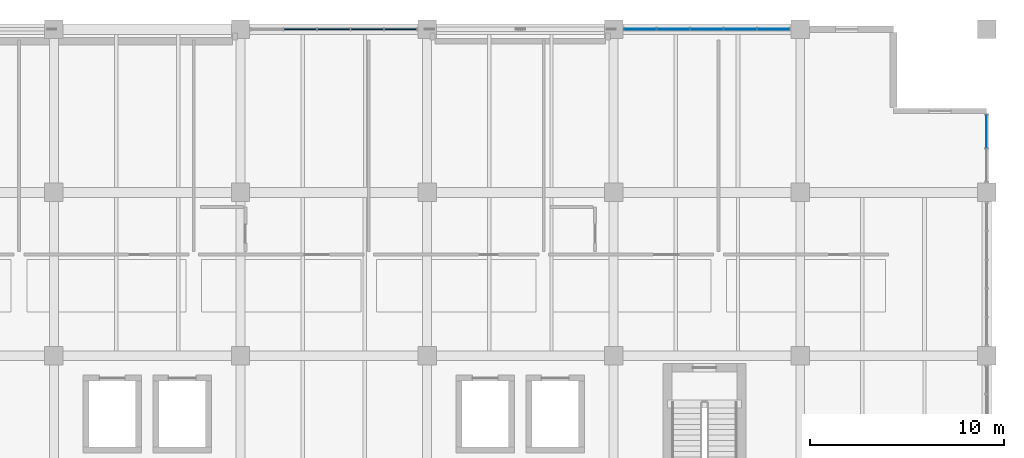
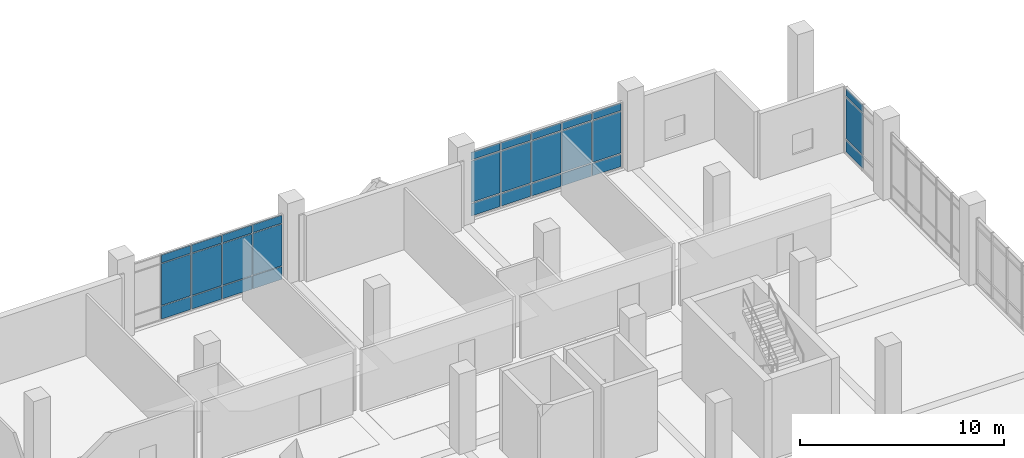
# One storey, part 110 of 152: 30 plates, 3 elements without a shape of their own.
"""IFC4 building model written with IfcOpenShell, lengths in metres."""

from ifc_helpers import new_model, si_unit, direction, frame, origin, origin_2d, place, context, subcontext, project, spatial, rectangle, extrude, material, layer, layer_set, type_object, element, aggregate, save


model = new_model("IFC4")

# Units and contexts
model_context = context("Model", 3, precision=1e-05, world=origin(), true_north=direction((0.0, 1.0)))
body_context = subcontext(model_context, "Body", "Model", "MODEL_VIEW")
ifc_project = project(units=[si_unit("LENGTHUNIT", "METRE"), si_unit("AREAUNIT", "SQUARE_METRE"), si_unit("VOLUMEUNIT", "CUBIC_METRE"), si_unit("PLANEANGLEUNIT", "RADIAN"), si_unit("MASSUNIT", "GRAM", prefix="KILO")], contexts=[model_context])

# Site, building, storey
site_placement = place(None, origin())
site = spatial("IfcSite", under=ifc_project, at=site_placement, CompositionType="ELEMENT")
building_placement = place(site_placement, origin())
building = spatial("IfcBuilding", under=site, at=building_placement, Name="Oolite Switchyard Hospital", CompositionType="ELEMENT")
storey_placement = place(building_placement, frame((0.0, 0.0, 5.10009765625)))
storey = spatial("IfcBuildingStorey", under=building, at=storey_placement, Name="L01", CompositionType="ELEMENT", Elevation=5.10009765625)

# Curtain wall, plates
ifc_material_1 = material(Name="Thermally broken aluminum frame with laminated impact glazing", Category="aluminium")
curtain_wall_type_1 = type_object("IfcCurtainWallType", Name="CW-UNIT-96X48", PredefinedType="USERDEFINED", material=ifc_material_1)
curtain_wall_1_placement = place(storey_placement, origin())
curtain_wall_1 = element("IfcCurtainWall", 1, at=curtain_wall_1_placement, inside=storey, type_object=curtain_wall_type_1, Name="L01 Unitised Curtain Wall 158", ObjectType="UNITISED", PredefinedType="USERDEFINED")
ifc_material_2 = material(Name="Insulated fluoropolymer-coated aluminum spandrel panel", Category="aluminium")
ifc_layer_1 = layer(ifc_material_2, 0.070068359375)
ifc_layer_set_1 = layer_set([ifc_layer_1], Name="CW-PNL-SPN70")
plate_type_1 = type_object("IfcPlateType", Name="CW-PNL-SPN70", PredefinedType="CURTAIN_PANEL", material=ifc_layer_set_1)
plate_1_placement = place(storey_placement, frame((175.8759765625, 134.39990234375, 0.06005859375), z_axis=(0.0, 0.0, 1.0), x_axis=(1.0, 0.0, 0.0)))
plate_1 = element("IfcPlate", 2, at=plate_1_placement, type_object=plate_type_1, Name="CW-02 panel 2.1", PredefinedType="CURTAIN_PANEL", context=body_context, shape_type="SweptSolid", body=[
    extrude(rectangle(XDim=1.6640625, YDim=0.070068359375, at=origin_2d()), origin(), (0.0, 0.0, 1.0), 0.760009765625),
])
plate_2_placement = place(storey_placement, frame((175.8759765625, 134.39990234375, 0.8798828125), z_axis=(0.0, 0.0, 1.0), x_axis=(1.0, 0.0, 0.0)))
plate_2 = element("IfcPlate", 3, at=plate_2_placement, type_object=plate_type_1, Name="CW-02 panel 2.2", PredefinedType="CURTAIN_PANEL", context=body_context, shape_type="SweptSolid", body=[
    extrude(rectangle(XDim=1.6640625, YDim=0.070068359375, at=origin_2d()), origin(), (0.0, 0.0, 1.0), 2.47998046875),
])
plate_3_placement = place(storey_placement, frame((175.8759765625, 134.39990234375, 3.419921875), z_axis=(0.0, 0.0, 1.0), x_axis=(1.0, 0.0, 0.0)))
plate_3 = element("IfcPlate", 4, at=plate_3_placement, type_object=plate_type_1, Name="CW-02 panel 2.3", PredefinedType="CURTAIN_PANEL", context=body_context, shape_type="SweptSolid", body=[
    extrude(rectangle(XDim=1.6640625, YDim=0.070068359375, at=origin_2d()), origin(), (0.0, 0.0, 1.0), 0.4599609375),
])
plate_4_placement = place(storey_placement, frame((177.60009765625, 134.39990234375, 0.06005859375), z_axis=(0.0, 0.0, 1.0), x_axis=(1.0, 0.0, 0.0)))
plate_4 = element("IfcPlate", 5, at=plate_4_placement, type_object=plate_type_1, Name="CW-02 panel 3.1", PredefinedType="CURTAIN_PANEL", context=body_context, shape_type="SweptSolid", body=[
    extrude(rectangle(XDim=1.6640625, YDim=0.070068359375, at=origin_2d()), origin(), (0.0, 0.0, 1.0), 0.760009765625),
])
plate_5_placement = place(storey_placement, frame((177.60009765625, 134.39990234375, 0.8798828125), z_axis=(0.0, 0.0, 1.0), x_axis=(1.0, 0.0, 0.0)))
plate_5 = element("IfcPlate", 6, at=plate_5_placement, type_object=plate_type_1, Name="CW-02 panel 3.2", PredefinedType="CURTAIN_PANEL", context=body_context, shape_type="SweptSolid", body=[
    extrude(rectangle(XDim=1.6640625, YDim=0.070068359375, at=origin_2d()), origin(), (0.0, 0.0, 1.0), 2.47998046875),
])
plate_6_placement = place(storey_placement, frame((177.60009765625, 134.39990234375, 3.419921875), z_axis=(0.0, 0.0, 1.0), x_axis=(1.0, 0.0, 0.0)))
plate_6 = element("IfcPlate", 7, at=plate_6_placement, type_object=plate_type_1, Name="CW-02 panel 3.3", PredefinedType="CURTAIN_PANEL", context=body_context, shape_type="SweptSolid", body=[
    extrude(rectangle(XDim=1.6640625, YDim=0.070068359375, at=origin_2d()), origin(), (0.0, 0.0, 1.0), 0.4599609375),
])
plate_7_placement = place(storey_placement, frame((179.323974609375, 134.39990234375, 0.06005859375), z_axis=(0.0, 0.0, 1.0), x_axis=(1.0, 0.0, 0.0)))
plate_7 = element("IfcPlate", 8, at=plate_7_placement, type_object=plate_type_1, Name="CW-02 panel 4.1", PredefinedType="CURTAIN_PANEL", context=body_context, shape_type="SweptSolid", body=[
    extrude(rectangle(XDim=1.6640625, YDim=0.070068359375, at=origin_2d()), origin(), (0.0, 0.0, 1.0), 0.760009765625),
])
plate_8_placement = place(storey_placement, frame((179.323974609375, 134.39990234375, 0.8798828125), z_axis=(0.0, 0.0, 1.0), x_axis=(1.0, 0.0, 0.0)))
plate_8 = element("IfcPlate", 9, at=plate_8_placement, type_object=plate_type_1, Name="CW-02 panel 4.2", PredefinedType="CURTAIN_PANEL", context=body_context, shape_type="SweptSolid", body=[
    extrude(rectangle(XDim=1.6640625, YDim=0.070068359375, at=origin_2d()), origin(), (0.0, 0.0, 1.0), 2.47998046875),
])
plate_9_placement = place(storey_placement, frame((179.323974609375, 134.39990234375, 3.419921875), z_axis=(0.0, 0.0, 1.0), x_axis=(1.0, 0.0, 0.0)))
plate_9 = element("IfcPlate", 10, at=plate_9_placement, type_object=plate_type_1, Name="CW-02 panel 4.3", PredefinedType="CURTAIN_PANEL", context=body_context, shape_type="SweptSolid", body=[
    extrude(rectangle(XDim=1.6640625, YDim=0.070068359375, at=origin_2d()), origin(), (0.0, 0.0, 1.0), 0.4599609375),
])
plate_10_placement = place(storey_placement, frame((181.032958984375, 134.39990234375, 0.06005859375), z_axis=(0.0, 0.0, 1.0), x_axis=(1.0, 0.0, 0.0)))
plate_10 = element("IfcPlate", 11, at=plate_10_placement, type_object=plate_type_1, Name="CW-02 panel 5.1", PredefinedType="CURTAIN_PANEL", context=body_context, shape_type="SweptSolid", body=[
    extrude(rectangle(XDim=1.634033203125, YDim=0.070068359375, at=origin_2d()), origin(), (0.0, 0.0, 1.0), 0.760009765625),
])
plate_11_placement = place(storey_placement, frame((181.032958984375, 134.39990234375, 0.8798828125), z_axis=(0.0, 0.0, 1.0), x_axis=(1.0, 0.0, 0.0)))
plate_11 = element("IfcPlate", 12, at=plate_11_placement, type_object=plate_type_1, Name="CW-02 panel 5.2", PredefinedType="CURTAIN_PANEL", context=body_context, shape_type="SweptSolid", body=[
    extrude(rectangle(XDim=1.634033203125, YDim=0.070068359375, at=origin_2d()), origin(), (0.0, 0.0, 1.0), 2.47998046875),
])
plate_12_placement = place(storey_placement, frame((181.032958984375, 134.39990234375, 3.419921875), z_axis=(0.0, 0.0, 1.0), x_axis=(1.0, 0.0, 0.0)))
plate_12 = element("IfcPlate", 13, at=plate_12_placement, type_object=plate_type_1, Name="CW-02 panel 5.3", PredefinedType="CURTAIN_PANEL", context=body_context, shape_type="SweptSolid", body=[
    extrude(rectangle(XDim=1.634033203125, YDim=0.070068359375, at=origin_2d()), origin(), (0.0, 0.0, 1.0), 0.4599609375),
])
aggregate(curtain_wall_1, [plate_1, plate_2, plate_3, plate_4, plate_5, plate_6, plate_7, plate_8, plate_9, plate_10, plate_11, plate_12])

curtain_wall_type_2 = type_object("IfcCurtainWallType", Name="CW-UNIT-84X48", PredefinedType="USERDEFINED", material=ifc_material_1)
curtain_wall_2_placement = place(storey_placement, origin())
curtain_wall_2 = element("IfcCurtainWall", 14, at=curtain_wall_2_placement, inside=storey, type_object=curtain_wall_type_2, Name="L01 Unitised Curtain Wall 205", ObjectType="UNITISED", PredefinedType="USERDEFINED")
ifc_material_3 = material(Name="Laminated hurricane-impact insulated glazing unit", Category="glass")
ifc_layer_2 = layer(ifc_material_3, 0.028076171875)
ifc_layer_set_2 = layer_set([ifc_layer_2], Name="CW-PNL-VIS28")
plate_type_2 = type_object("IfcPlateType", Name="CW-PNL-VIS28", PredefinedType="CURTAIN_PANEL", material=ifc_layer_set_2)
plate_13_placement = place(storey_placement, frame((211.199951171875, 129.1337890625, 0.07470703125), z_axis=(0.0, 0.0, 1.0), x_axis=(0.0, -1.0, 0.0)))
plate_13 = element("IfcPlate", 15, at=plate_13_placement, type_object=plate_type_2, Name="CW-07 panel 1.1", PredefinedType="CURTAIN_PANEL", context=body_context, shape_type="SweptSolid", body=[
    extrude(rectangle(XDim=1.66259765625, YDim=0.028076171875, at=origin_2d()), origin(), (0.0, 0.0, 1.0), 0.737548828125),
])
plate_14_placement = place(storey_placement, frame((211.199951171875, 129.1337890625, 0.88720703125), z_axis=(0.0, 0.0, 1.0), x_axis=(0.0, -1.0, 0.0)))
plate_14 = element("IfcPlate", 16, at=plate_14_placement, type_object=plate_type_2, Name="CW-07 panel 1.2", PredefinedType="CURTAIN_PANEL", context=body_context, shape_type="SweptSolid", body=[
    extrude(rectangle(XDim=1.66259765625, YDim=0.028076171875, at=origin_2d()), origin(), (0.0, 0.0, 1.0), 2.465087890625),
])
plate_15_placement = place(storey_placement, frame((211.199951171875, 129.1337890625, 3.427490234375), z_axis=(0.0, 0.0, 1.0), x_axis=(0.0, -1.0, 0.0)))
plate_15 = element("IfcPlate", 17, at=plate_15_placement, type_object=plate_type_2, Name="CW-07 panel 1.3", PredefinedType="CURTAIN_PANEL", context=body_context, shape_type="SweptSolid", body=[
    extrude(rectangle(XDim=1.66259765625, YDim=0.028076171875, at=origin_2d()), origin(), (0.0, 0.0, 1.0), 0.4375),
])
aggregate(curtain_wall_2, [plate_13, plate_14, plate_15])

curtain_wall_3_placement = place(storey_placement, origin())
curtain_wall_3 = element("IfcCurtainWall", 18, at=curtain_wall_3_placement, inside=storey, type_object=curtain_wall_type_1, Name="L01 Unitised Curtain Wall 159", ObjectType="UNITISED", PredefinedType="USERDEFINED")
ifc_layer_3 = layer(ifc_material_3, 0.035888671875)
ifc_layer_set_3 = layer_set([ifc_layer_3], Name="CW-PNL-VIS36")
plate_type_3 = type_object("IfcPlateType", Name="CW-PNL-VIS36", PredefinedType="CURTAIN_PANEL", material=ifc_layer_set_3)
plate_16_placement = place(storey_placement, frame((193.369384765625, 134.39990234375, 0.07470703125), z_axis=(0.0, 0.0, 1.0), x_axis=(1.0, 0.0, 0.0)))
plate_16 = element("IfcPlate", 19, at=plate_16_placement, type_object=plate_type_3, Name="CW-02 panel 1.1", PredefinedType="CURTAIN_PANEL", context=body_context, shape_type="SweptSolid", body=[
    extrude(rectangle(XDim=1.618896484375, YDim=0.035888671875, at=origin_2d()), origin(), (0.0, 0.0, 1.0), 0.737548828125),
])
plate_17_placement = place(storey_placement, frame((193.369384765625, 134.39990234375, 0.88720703125), z_axis=(0.0, 0.0, 1.0), x_axis=(1.0, 0.0, 0.0)))
plate_17 = element("IfcPlate", 20, at=plate_17_placement, type_object=plate_type_3, Name="CW-02 panel 1.2", PredefinedType="CURTAIN_PANEL", context=body_context, shape_type="SweptSolid", body=[
    extrude(rectangle(XDim=1.618896484375, YDim=0.035888671875, at=origin_2d()), origin(), (0.0, 0.0, 1.0), 2.465087890625),
])
plate_18_placement = place(storey_placement, frame((193.369384765625, 134.39990234375, 3.427490234375), z_axis=(0.0, 0.0, 1.0), x_axis=(1.0, 0.0, 0.0)))
plate_18 = element("IfcPlate", 21, at=plate_18_placement, type_object=plate_type_3, Name="CW-02 panel 1.3", PredefinedType="CURTAIN_PANEL", context=body_context, shape_type="SweptSolid", body=[
    extrude(rectangle(XDim=1.618896484375, YDim=0.035888671875, at=origin_2d()), origin(), (0.0, 0.0, 1.0), 0.4375),
])
plate_19_placement = place(storey_placement, frame((195.075927734375, 134.39990234375, 0.07470703125), z_axis=(0.0, 0.0, 1.0), x_axis=(1.0, 0.0, 0.0)))
plate_19 = element("IfcPlate", 22, at=plate_19_placement, type_object=plate_type_3, Name="CW-02 panel 2.1", PredefinedType="CURTAIN_PANEL", context=body_context, shape_type="SweptSolid", body=[
    extrude(rectangle(XDim=1.654052734375, YDim=0.035888671875, at=origin_2d()), origin(), (0.0, 0.0, 1.0), 0.737548828125),
])
plate_20_placement = place(storey_placement, frame((195.075927734375, 134.39990234375, 0.88720703125), z_axis=(0.0, 0.0, 1.0), x_axis=(1.0, 0.0, 0.0)))
plate_20 = element("IfcPlate", 23, at=plate_20_placement, type_object=plate_type_3, Name="CW-02 panel 2.2", PredefinedType="CURTAIN_PANEL", context=body_context, shape_type="SweptSolid", body=[
    extrude(rectangle(XDim=1.654052734375, YDim=0.035888671875, at=origin_2d()), origin(), (0.0, 0.0, 1.0), 2.465087890625),
])
plate_21_placement = place(storey_placement, frame((195.075927734375, 134.39990234375, 3.427490234375), z_axis=(0.0, 0.0, 1.0), x_axis=(1.0, 0.0, 0.0)))
plate_21 = element("IfcPlate", 24, at=plate_21_placement, type_object=plate_type_3, Name="CW-02 panel 2.3", PredefinedType="CURTAIN_PANEL", context=body_context, shape_type="SweptSolid", body=[
    extrude(rectangle(XDim=1.654052734375, YDim=0.035888671875, at=origin_2d()), origin(), (0.0, 0.0, 1.0), 0.4375),
])
plate_22_placement = place(storey_placement, frame((196.800048828125, 134.39990234375, 0.07470703125), z_axis=(0.0, 0.0, 1.0), x_axis=(1.0, 0.0, 0.0)))
plate_22 = element("IfcPlate", 25, at=plate_22_placement, type_object=plate_type_3, Name="CW-02 panel 3.1", PredefinedType="CURTAIN_PANEL", context=body_context, shape_type="SweptSolid", body=[
    extrude(rectangle(XDim=1.654052734375, YDim=0.035888671875, at=origin_2d()), origin(), (0.0, 0.0, 1.0), 0.737548828125),
])
plate_23_placement = place(storey_placement, frame((196.800048828125, 134.39990234375, 0.88720703125), z_axis=(0.0, 0.0, 1.0), x_axis=(1.0, 0.0, 0.0)))
plate_23 = element("IfcPlate", 26, at=plate_23_placement, type_object=plate_type_3, Name="CW-02 panel 3.2", PredefinedType="CURTAIN_PANEL", context=body_context, shape_type="SweptSolid", body=[
    extrude(rectangle(XDim=1.654052734375, YDim=0.035888671875, at=origin_2d()), origin(), (0.0, 0.0, 1.0), 2.465087890625),
])
plate_24_placement = place(storey_placement, frame((196.800048828125, 134.39990234375, 3.427490234375), z_axis=(0.0, 0.0, 1.0), x_axis=(1.0, 0.0, 0.0)))
plate_24 = element("IfcPlate", 27, at=plate_24_placement, type_object=plate_type_3, Name="CW-02 panel 3.3", PredefinedType="CURTAIN_PANEL", context=body_context, shape_type="SweptSolid", body=[
    extrude(rectangle(XDim=1.654052734375, YDim=0.035888671875, at=origin_2d()), origin(), (0.0, 0.0, 1.0), 0.4375),
])
plate_25_placement = place(storey_placement, frame((198.52392578125, 134.39990234375, 0.07470703125), z_axis=(0.0, 0.0, 1.0), x_axis=(1.0, 0.0, 0.0)))
plate_25 = element("IfcPlate", 28, at=plate_25_placement, type_object=plate_type_3, Name="CW-02 panel 4.1", PredefinedType="CURTAIN_PANEL", context=body_context, shape_type="SweptSolid", body=[
    extrude(rectangle(XDim=1.654052734375, YDim=0.035888671875, at=origin_2d()), origin(), (0.0, 0.0, 1.0), 0.737548828125),
])
plate_26_placement = place(storey_placement, frame((198.52392578125, 134.39990234375, 0.88720703125), z_axis=(0.0, 0.0, 1.0), x_axis=(1.0, 0.0, 0.0)))
plate_26 = element("IfcPlate", 29, at=plate_26_placement, type_object=plate_type_3, Name="CW-02 panel 4.2", PredefinedType="CURTAIN_PANEL", context=body_context, shape_type="SweptSolid", body=[
    extrude(rectangle(XDim=1.654052734375, YDim=0.035888671875, at=origin_2d()), origin(), (0.0, 0.0, 1.0), 2.465087890625),
])
plate_27_placement = place(storey_placement, frame((198.52392578125, 134.39990234375, 3.427490234375), z_axis=(0.0, 0.0, 1.0), x_axis=(1.0, 0.0, 0.0)))
plate_27 = element("IfcPlate", 30, at=plate_27_placement, type_object=plate_type_3, Name="CW-02 panel 4.3", PredefinedType="CURTAIN_PANEL", context=body_context, shape_type="SweptSolid", body=[
    extrude(rectangle(XDim=1.654052734375, YDim=0.035888671875, at=origin_2d()), origin(), (0.0, 0.0, 1.0), 0.4375),
])
plate_28_placement = place(storey_placement, frame((200.23046875, 134.39990234375, 0.07470703125), z_axis=(0.0, 0.0, 1.0), x_axis=(1.0, 0.0, 0.0)))
plate_28 = element("IfcPlate", 31, at=plate_28_placement, type_object=plate_type_3, Name="CW-02 panel 5.1", PredefinedType="CURTAIN_PANEL", context=body_context, shape_type="SweptSolid", body=[
    extrude(rectangle(XDim=1.618896484375, YDim=0.035888671875, at=origin_2d()), origin(), (0.0, 0.0, 1.0), 0.737548828125),
])
plate_29_placement = place(storey_placement, frame((200.23046875, 134.39990234375, 0.88720703125), z_axis=(0.0, 0.0, 1.0), x_axis=(1.0, 0.0, 0.0)))
plate_29 = element("IfcPlate", 32, at=plate_29_placement, type_object=plate_type_3, Name="CW-02 panel 5.2", PredefinedType="CURTAIN_PANEL", context=body_context, shape_type="SweptSolid", body=[
    extrude(rectangle(XDim=1.618896484375, YDim=0.035888671875, at=origin_2d()), origin(), (0.0, 0.0, 1.0), 2.465087890625),
])
plate_30_placement = place(storey_placement, frame((200.23046875, 134.39990234375, 3.427490234375), z_axis=(0.0, 0.0, 1.0), x_axis=(1.0, 0.0, 0.0)))
plate_30 = element("IfcPlate", 33, at=plate_30_placement, type_object=plate_type_3, Name="CW-02 panel 5.3", PredefinedType="CURTAIN_PANEL", context=body_context, shape_type="SweptSolid", body=[
    extrude(rectangle(XDim=1.618896484375, YDim=0.035888671875, at=origin_2d()), origin(), (0.0, 0.0, 1.0), 0.4375),
])
aggregate(curtain_wall_3, [plate_16, plate_17, plate_18, plate_19, plate_20, plate_21, plate_22, plate_23, plate_24, plate_25, plate_26, plate_27, plate_28, plate_29, plate_30])

save(model, "model.ifc")
